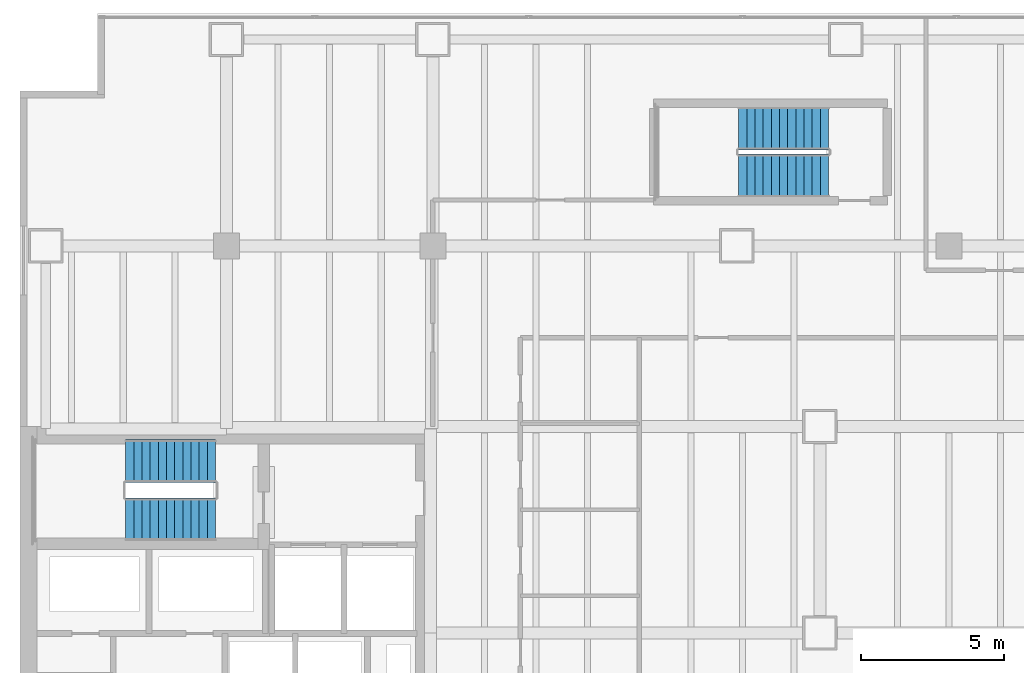
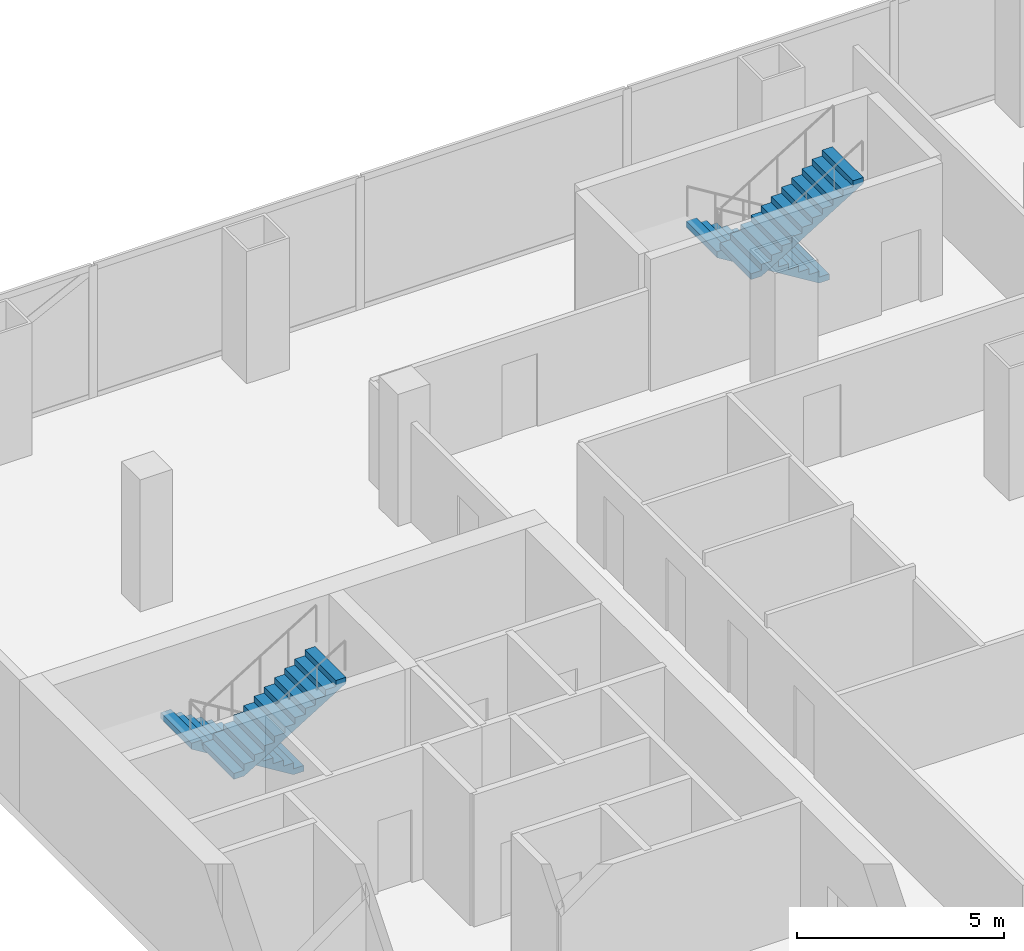
# One storey, part 31 of 34: 4 stair flights, 2 elements without a shape of their own.
"""IFC4 building model written with IfcOpenShell, lengths in metres."""

from ifc_helpers import new_model, si_unit, direction, frame, origin, place, context, subcontext, project, spatial, polyline, outline, extrude, material, type_object, element, aggregate, save


model = new_model("IFC4")

# Units and contexts
model_context = context("Model", 3, precision=1e-05, world=origin(), true_north=direction((0.0, 1.0)))
body_context = subcontext(model_context, "Body", "Model", "MODEL_VIEW")
ifc_project = project(units=[si_unit("LENGTHUNIT", "METRE"), si_unit("AREAUNIT", "SQUARE_METRE"), si_unit("VOLUMEUNIT", "CUBIC_METRE"), si_unit("PLANEANGLEUNIT", "RADIAN"), si_unit("MASSUNIT", "GRAM", prefix="KILO")], contexts=[model_context])

# Site, building, storey
site_placement = place(None, origin())
site = spatial("IfcSite", under=ifc_project, at=site_placement, CompositionType="ELEMENT")
building_placement = place(site_placement, origin())
building = spatial("IfcBuilding", under=site, at=building_placement, Name="Cobrela Telecom Tower", CompositionType="ELEMENT")
storey_placement = place(building_placement, frame((0.0, 0.0, 5.25)))
storey = spatial("IfcBuildingStorey", under=building, at=storey_placement, Name="L01", CompositionType="ELEMENT", Elevation=5.25)

# Stair, stair flights
ifc_material = material(Name="Concrete C40/50", Category="concrete")
stair_type = type_object("IfcStairType", Name="STAIR-CORE", PredefinedType="HALF_TURN_STAIR", material=ifc_material)
stair_1_placement = place(storey_placement, origin())
stair_1 = element("IfcStair", 1, at=stair_1_placement, inside=storey, type_object=stair_type, Name="L01 Smokeproof Exit Stair ST1", PredefinedType="HALF_TURN_STAIR")
stair_flight_type = type_object("IfcStairFlightType", Name="FLIGHT-CORE", PredefinedType="STRAIGHT", material=ifc_material)
stair_flight_1_placement = place(storey_placement, frame((6.820068359375, 34.800048828125, 0.0), z_axis=(0.0, 0.0, 1.0), x_axis=(-1.0, 0.0, 0.0)))
stair_flight_1 = element("IfcStairFlight", 2, at=stair_flight_1_placement, type_object=stair_flight_type, Name="ST1 flight 1", NumberOfRisers=12, NumberOfTreads=11, PredefinedType="STRAIGHT", RiserHeight=0.175, TreadLength=0.285, context=body_context, shape_type="SweptSolid", body=[
    extrude(outline(polyline([(0.0, 0.0), (0.0, 0.175048828125), (0.284912109375, 0.175048828125), (0.284912109375, 0.35009765625), (0.570068359375, 0.35009765625), (0.570068359375, 0.52490234375), (0.85498046875, 0.52490234375), (0.85498046875, 0.699951171875), (1.139892578125, 0.699951171875), (1.139892578125, 0.875), (1.425048828125, 0.875), (1.425048828125, 1.050048828125), (1.7099609375, 1.050048828125), (1.7099609375, 1.22509765625), (1.9951171875, 1.22509765625), (1.9951171875, 1.39990234375), (2.280029296875, 1.39990234375), (2.280029296875, 1.574951171875), (2.56494140625, 1.574951171875), (2.56494140625, 1.75), (2.85009765625, 1.75), (2.85009765625, 1.925048828125), (3.135009765625, 1.925048828125), (3.135009765625, 2.10009765625), (3.135009765625, 1.7490234375), (0.286376953125, 0.0), (0.0, 0.0)])), frame((0.0, 0.75, 0.0), z_axis=(0.0, -1.0, 0.0), x_axis=(1.0, 0.0, 0.0)), (0.0, 0.0, 1.0), 1.5),
])
stair_flight_2_placement = place(storey_placement, frame((3.68505859375, 32.75, 2.10009765625), z_axis=(0.0, 0.0, 1.0), x_axis=(1.0, 0.0, 0.0)))
stair_flight_2 = element("IfcStairFlight", 3, at=stair_flight_2_placement, type_object=stair_flight_type, Name="ST1 flight 2", NumberOfRisers=12, NumberOfTreads=11, PredefinedType="STRAIGHT", RiserHeight=0.175, TreadLength=0.285, context=body_context, shape_type="SweptSolid", body=[
    extrude(outline(polyline([(0.0, 0.0), (0.0, 0.175048828125), (0.284912109375, 0.175048828125), (0.284912109375, 0.35009765625), (0.570068359375, 0.35009765625), (0.570068359375, 0.52490234375), (0.85498046875, 0.52490234375), (0.85498046875, 0.699951171875), (1.139892578125, 0.699951171875), (1.139892578125, 0.875), (1.425048828125, 0.875), (1.425048828125, 1.050048828125), (1.7099609375, 1.050048828125), (1.7099609375, 1.22509765625), (1.9951171875, 1.22509765625), (1.9951171875, 1.39990234375), (2.280029296875, 1.39990234375), (2.280029296875, 1.574951171875), (2.56494140625, 1.574951171875), (2.56494140625, 1.75), (2.85009765625, 1.75), (2.85009765625, 1.925048828125), (3.135009765625, 1.925048828125), (3.135009765625, 2.10009765625), (3.135009765625, 1.7490234375), (0.286376953125, 0.0), (0.0, 0.0)])), frame((0.0, 0.75, 0.0), z_axis=(0.0, -1.0, 0.0), x_axis=(1.0, 0.0, 0.0)), (0.0, 0.0, 1.0), 1.5),
])
aggregate(stair_1, [stair_flight_1, stair_flight_2])

stair_2_placement = place(storey_placement, origin())
stair_2 = element("IfcStair", 4, at=stair_2_placement, inside=storey, type_object=stair_type, Name="L01 Smokeproof Exit Stair ST3", PredefinedType="HALF_TURN_STAIR")
stair_flight_3_placement = place(storey_placement, frame((28.199951171875, 46.39990234375, 0.0), z_axis=(0.0, 0.0, 1.0), x_axis=(-1.0, 0.0, 0.0)))
stair_flight_3 = element("IfcStairFlight", 5, at=stair_flight_3_placement, type_object=stair_flight_type, Name="ST3 flight 1", NumberOfRisers=12, NumberOfTreads=11, PredefinedType="STRAIGHT", RiserHeight=0.175, TreadLength=0.285, context=body_context, shape_type="SweptSolid", body=[
    extrude(outline(polyline([(0.0, 0.0), (0.0, 0.175048828125), (0.284912109375, 0.175048828125), (0.284912109375, 0.35009765625), (0.570068359375, 0.35009765625), (0.570068359375, 0.52490234375), (0.85498046875, 0.52490234375), (0.85498046875, 0.699951171875), (1.139892578125, 0.699951171875), (1.139892578125, 0.875), (1.425048828125, 0.875), (1.425048828125, 1.050048828125), (1.7099609375, 1.050048828125), (1.7099609375, 1.22509765625), (1.9951171875, 1.22509765625), (1.9951171875, 1.39990234375), (2.280029296875, 1.39990234375), (2.280029296875, 1.574951171875), (2.56494140625, 1.574951171875), (2.56494140625, 1.75), (2.85009765625, 1.75), (2.85009765625, 1.925048828125), (3.135009765625, 1.925048828125), (3.135009765625, 2.10009765625), (3.135009765625, 1.7490234375), (0.286376953125, 0.0), (0.0, 0.0)])), frame((0.0, 0.75, 0.0), z_axis=(0.0, -1.0, 0.0), x_axis=(1.0, 0.0, 0.0)), (0.0, 0.0, 1.0), 1.5),
])
stair_flight_4_placement = place(storey_placement, frame((25.06494140625, 44.75, 2.10009765625), z_axis=(0.0, 0.0, 1.0), x_axis=(1.0, 0.0, 0.0)))
stair_flight_4 = element("IfcStairFlight", 6, at=stair_flight_4_placement, type_object=stair_flight_type, Name="ST3 flight 2", NumberOfRisers=12, NumberOfTreads=11, PredefinedType="STRAIGHT", RiserHeight=0.175, TreadLength=0.285, context=body_context, shape_type="SweptSolid", body=[
    extrude(outline(polyline([(0.0, 0.0), (0.0, 0.175048828125), (0.284912109375, 0.175048828125), (0.284912109375, 0.35009765625), (0.570068359375, 0.35009765625), (0.570068359375, 0.52490234375), (0.85498046875, 0.52490234375), (0.85498046875, 0.699951171875), (1.139892578125, 0.699951171875), (1.139892578125, 0.875), (1.425048828125, 0.875), (1.425048828125, 1.050048828125), (1.7099609375, 1.050048828125), (1.7099609375, 1.22509765625), (1.9951171875, 1.22509765625), (1.9951171875, 1.39990234375), (2.280029296875, 1.39990234375), (2.280029296875, 1.574951171875), (2.56494140625, 1.574951171875), (2.56494140625, 1.75), (2.85009765625, 1.75), (2.85009765625, 1.925048828125), (3.135009765625, 1.925048828125), (3.135009765625, 2.10009765625), (3.135009765625, 1.7490234375), (0.286376953125, 0.0), (0.0, 0.0)])), frame((0.0, 0.75, 0.0), z_axis=(0.0, -1.0, 0.0), x_axis=(1.0, 0.0, 0.0)), (0.0, 0.0, 1.0), 1.5),
])
aggregate(stair_2, [stair_flight_3, stair_flight_4])

save(model, "model.ifc")
